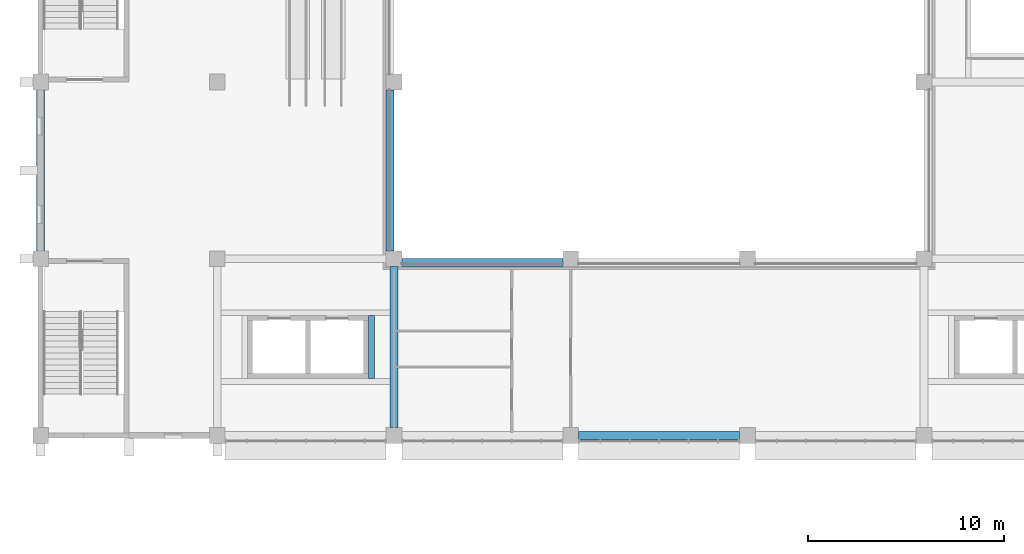
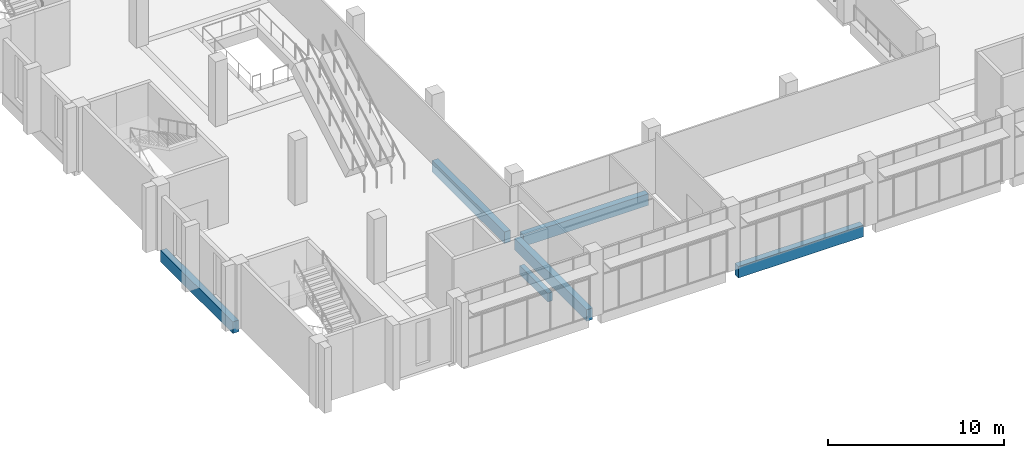
# One storey, part 4 of 79: 6 beams.
"""IFC4 building model written with IfcOpenShell, lengths in metres."""

from ifc_helpers import new_model, si_unit, direction, frame, origin, origin_2d, place, context, subcontext, project, spatial, rectangle, extrude, material, material_profile, profile_set, type_object, element, save


model = new_model("IFC4")

# Units and contexts
model_context = context("Model", 3, precision=1e-05, world=origin(), true_north=direction((0.0, 1.0)))
body_context = subcontext(model_context, "Body", "Model", "MODEL_VIEW")
ifc_project = project(units=[si_unit("LENGTHUNIT", "METRE"), si_unit("AREAUNIT", "SQUARE_METRE"), si_unit("VOLUMEUNIT", "CUBIC_METRE"), si_unit("PLANEANGLEUNIT", "RADIAN"), si_unit("MASSUNIT", "GRAM", prefix="KILO")], contexts=[model_context])

# Site, building, storey
site_placement = place(None, origin())
site = spatial("IfcSite", under=ifc_project, at=site_placement, CompositionType="ELEMENT")
building_placement = place(site_placement, origin())
building = spatial("IfcBuilding", under=site, at=building_placement, Name="Guidao Yard Department Store", CompositionType="ELEMENT")
storey_placement = place(building_placement, frame((0.0, 0.0, 15.0)))
storey = spatial("IfcBuildingStorey", under=building, at=storey_placement, Name="L03", CompositionType="ELEMENT", Elevation=15.0)

# Beams
ifc_material_1 = material(Name="Concrete C40", Category="concrete")
ifc_material_profile_1 = material_profile(ifc_material_1, rectangle(XDim=0.39990234375, YDim=0.800048828125, at=origin_2d()), Name="Edge beam 400 x 800 C40")
ifc_profile_set_1 = profile_set([ifc_material_profile_1], Name="Concrete C40")
beam_type_1 = type_object("IfcBeamType", Name="Edge beam 400 x 800 C40", PredefinedType="BEAM", material=ifc_profile_set_1)
for number, where, z_axis, x_axis, name in (
    (1, (17.800048828125, 54.39990234375, -0.39990234375), (0.0, 1.0, 0.0), (-1.0, 0.0, 0.0), "Beam EB16"),
    (2, (18.39990234375, 53.800048828125, -0.39990234375), (1.0, 0.0, 0.0), (0.0, 1.0, 0.0), "Beam EB20"),
    (3, (18.0, 45.39990234375, -0.39990234375), (0.0, 1.0, 0.0), (-1.0, 0.0, 0.0), "Beam EB32"),
):
    element("IfcBeam", number, at=place(storey_placement, frame(where, z_axis=z_axis, x_axis=x_axis)), inside=storey, type_object=beam_type_1, Name=name, PredefinedType="BEAM", context=body_context, shape_type="SweptSolid", body=[
        extrude(rectangle(XDim=0.39990234375, YDim=0.800048828125, at=origin_2d()), origin(), (0.0, 0.0, 1.0), 8.2001953125),
    ])
ifc_material_2 = material(Name="Concrete C40", Category="concrete")
ifc_material_profile_2 = material_profile(ifc_material_2, rectangle(XDim=0.300048828125, YDim=0.60009765625, at=origin_2d()), Name="Opening beam 300 x 600 C40")
ifc_profile_set_2 = profile_set([ifc_material_profile_2], Name="Concrete C40")
beam_type_2 = type_object("IfcBeamType", Name="Opening beam 300 x 600 C40", PredefinedType="BEAM", material=ifc_profile_set_2)
beam_placement = place(storey_placement, frame((16.85009765625, 47.89990234375, -0.300048828125), z_axis=(0.0, 1.0, 0.0), x_axis=(-1.0, 0.0, 0.0)))
element("IfcBeam", 4, at=beam_placement, inside=storey, type_object=beam_type_2, Name="Beam OB04", PredefinedType="BEAM", context=body_context, shape_type="SweptSolid", body=[
    extrude(rectangle(XDim=0.300048828125, YDim=0.60009765625, at=origin_2d()), origin(), (0.0, 0.0, 1.0), 3.2001953125),
])
ifc_material_3 = material(Name="Concrete C40", Category="concrete")
ifc_material_profile_3 = material_profile(ifc_material_3, rectangle(XDim=0.39990234375, YDim=0.800048828125, at=origin_2d()), Name="Spandrel beam 400 x 800 C40")
ifc_profile_set_3 = profile_set([ifc_material_profile_3], Name="Concrete C40")
beam_type_3 = type_object("IfcBeamType", Name="Spandrel beam 400 x 800 C40", PredefinedType="SPANDREL", material=ifc_profile_set_3)
for number, where, z_axis, x_axis, name in (
    (5, (27.39990234375, 45.0, -0.39990234375), (1.0, 0.0, 0.0), (0.0, 1.0, 0.0), "Beam EB03"),
    (6, (0.0, 54.39990234375, -0.39990234375), (0.0, 1.0, 0.0), (-1.0, 0.0, 0.0), "Beam EB06"),
):
    element("IfcBeam", number, at=place(storey_placement, frame(where, z_axis=z_axis, x_axis=x_axis)), inside=storey, type_object=beam_type_3, Name=name, PredefinedType="SPANDREL", context=body_context, shape_type="SweptSolid", body=[
        extrude(rectangle(XDim=0.39990234375, YDim=0.800048828125, at=origin_2d()), origin(), (0.0, 0.0, 1.0), 8.2001953125),
    ])

save(model, "model.ifc")
